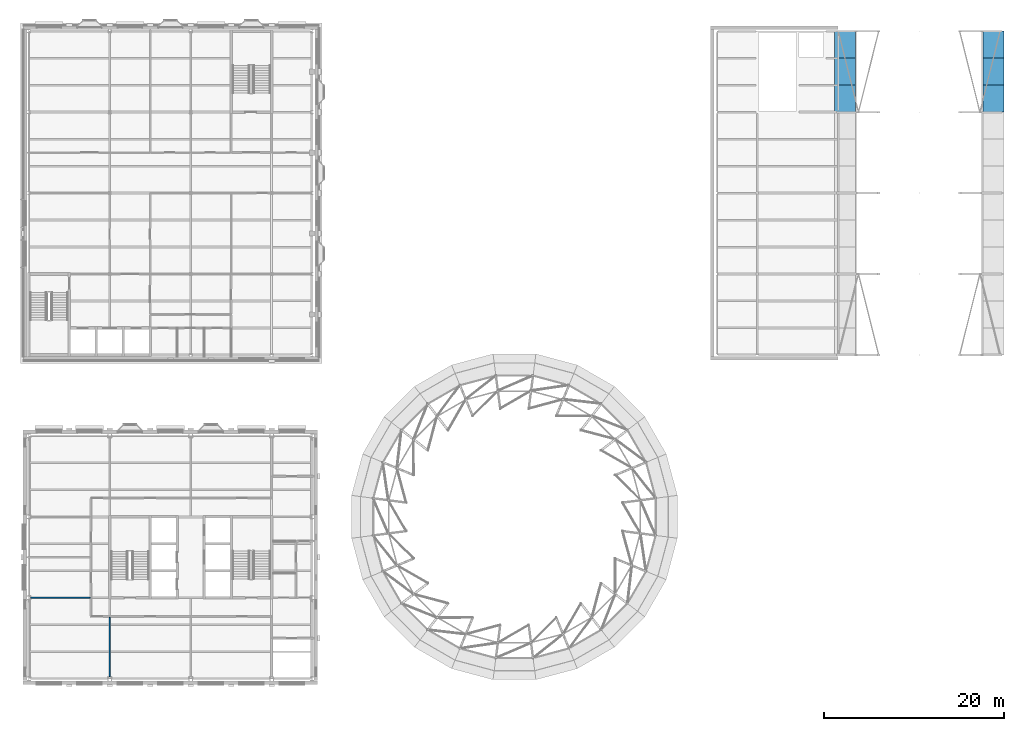
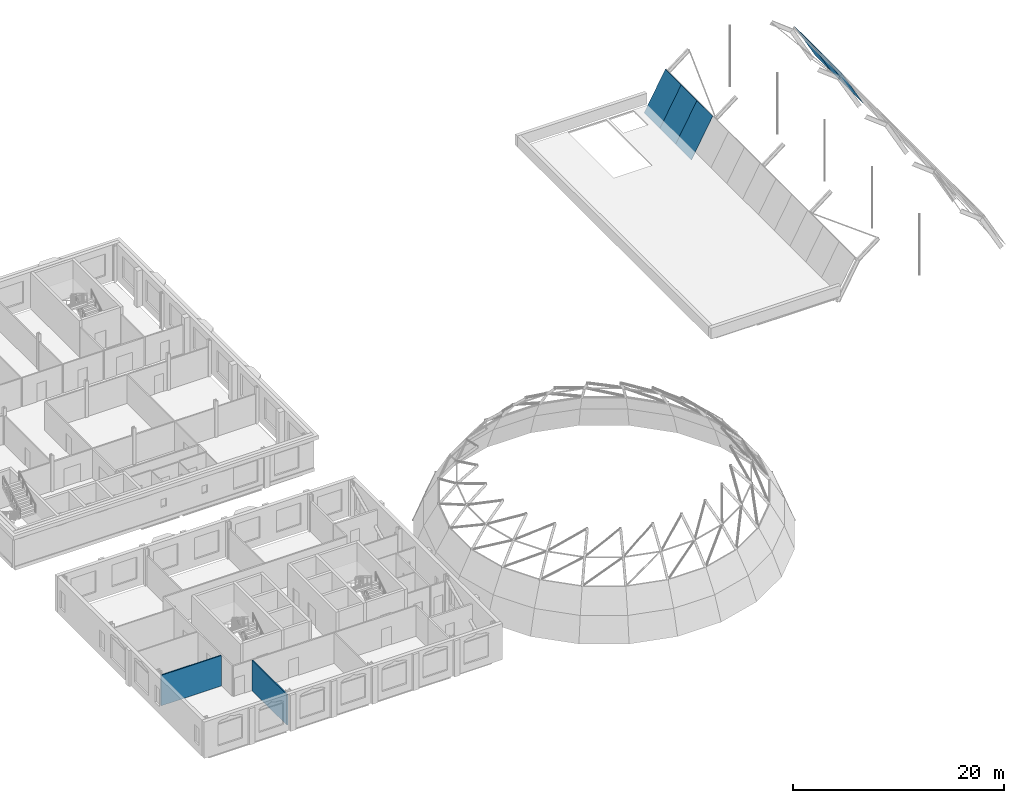
# One storey, part 32 of 62: 6 plates, 2 walls.
"""IFC4 building model written with IfcOpenShell, lengths in metres."""

from ifc_helpers import new_model, si_unit, direction, frame, frame_2d, origin, place, context, subcontext, project, spatial, polyline, rectangle, outline, extrude, material, layer, layer_set, type_object, element, save


model = new_model("IFC4")

# Units and contexts
model_context = context("Model", 3, precision=1e-05, world=origin(), true_north=direction((0.0, 1.0)))
body_context = subcontext(model_context, "Body", "Model", "MODEL_VIEW")
ifc_project = project(units=[si_unit("LENGTHUNIT", "METRE"), si_unit("AREAUNIT", "SQUARE_METRE"), si_unit("VOLUMEUNIT", "CUBIC_METRE"), si_unit("PLANEANGLEUNIT", "RADIAN"), si_unit("MASSUNIT", "GRAM", prefix="KILO")], contexts=[model_context])

# Site, building, storey
site_placement = place(None, origin())
site = spatial("IfcSite", under=ifc_project, at=site_placement, CompositionType="ELEMENT")
building_placement = place(site_placement, origin())
building = spatial("IfcBuilding", under=site, at=building_placement, Name="Hortulan Conservatory and Botanical Research Centre", CompositionType="ELEMENT")
storey_placement = place(building_placement, frame((0.0, 0.0, 15.0)))
storey = spatial("IfcBuildingStorey", under=building, at=storey_placement, Name="L03", CompositionType="ELEMENT", Elevation=15.0)

# Plates
ifc_material_1 = material(Name="Verdigris copper-green zinc sheet on timber decking", Category="wood")
ifc_layer_1 = layer(ifc_material_1, 0.0400390625)
ifc_layer_set_1 = layer_set([ifc_layer_1], Name="Vault Roof Zinc Panel 40")
plate_type = type_object("IfcPlateType", Name="Vault Roof Zinc Panel 40", PredefinedType="SHEET", material=ifc_layer_set_1)
for number, where, z_axis, x_axis, name in (
    (1, (89.5673828125, 63.0, -0.76220703125), (-0.876211659752, 0.0, 0.481926475009), (0.481926475009, 0.0, 0.876211659752), "Vault roof panel"),
    (2, (89.5673828125, 66.0, -0.76220703125), (-0.876211659752, 0.0, 0.481926475009), (0.481926475009, 0.0, 0.876211659752), "Vault roof panel"),
    (3, (89.5673828125, 69.0, -0.76220703125), (-0.876211659752, 0.0, 0.481926475009), (0.481926475009, 0.0, 0.876211659752), "Vault roof panel"),
    (4, (106.093994140625, 63.0, 3.48974609375), (0.876211659752, 0.0, 0.481926475009), (0.481926475009, 0.0, -0.876211659752), "Vault roof panel"),
    (5, (106.093994140625, 66.0, 3.48974609375), (0.876211659752, 0.0, 0.481926475009), (0.481926475009, 0.0, -0.876211659752), "Vault roof panel"),
    (6, (106.093994140625, 69.0, 3.48974609375), (0.876211659752, 0.0, 0.481926475009), (0.481926475009, 0.0, -0.876211659752), "Vault roof panel"),
):
    element("IfcPlate", number, at=place(storey_placement, frame(where, z_axis=z_axis, x_axis=x_axis)), inside=storey, type_object=plate_type, Name=name, PredefinedType="SHEET", context=body_context, shape_type="SweptSolid", body=[
        extrude(outline(polyline([(0.0, 0.0), (4.8526552661993385, 0.0), (4.8526552661993385, 3.0), (0.0, 3.0), (0.0, 0.0)])), origin(), (0.0, 0.0, -1.0), 0.0400390625),
    ])

# Walls
ifc_material_2 = material(Name="Plasterboard on steel studs", Category="steel")
ifc_layer_2 = layer(ifc_material_2, 0.125)
ifc_layer_set_2 = layer_set([ifc_layer_2], Name="Partition 125")
wall_type = type_object("IfcWallType", Name="Partition 125", PredefinedType="PARTITIONING", material=ifc_layer_set_2)
wall_1_placement = place(storey_placement, frame((9.0, 0.220947265625, 0.0), z_axis=(0.0, 0.0, 1.0), x_axis=(0.0, 1.0, 0.0)))
element("IfcWall", 7, at=wall_1_placement, inside=storey, type_object=wall_type, Name="Partition", PredefinedType="PARTITIONING", context=body_context, shape_type="SweptSolid", body=[
    extrude(rectangle(XDim=6.593994140625, YDim=0.125, at=frame_2d((3.296875, 0.0))), origin(), (0.0, 0.0, 1.0), 3.537109375),
])
wall_2_placement = place(storey_placement, frame((0.2099609375, 9.0, 0.0), z_axis=(0.0, 0.0, 1.0), x_axis=(1.0, 0.0, 0.0)))
element("IfcWall", 8, at=wall_2_placement, inside=storey, type_object=wall_type, Name="Partition", PredefinedType="PARTITIONING", context=body_context, shape_type="SweptSolid", body=[
    extrude(rectangle(XDim=6.60498046875, YDim=0.125, at=frame_2d((3.302490234375, 0.0))), origin(), (0.0, 0.0, 1.0), 3.537109375),
])

save(model, "model.ifc")
